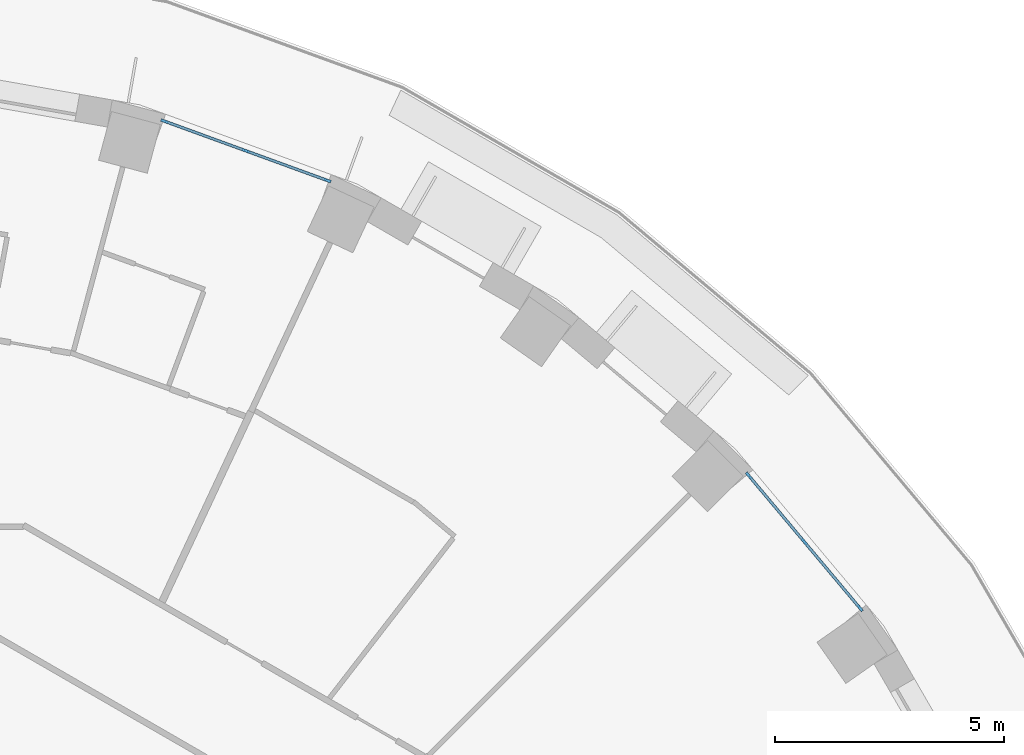
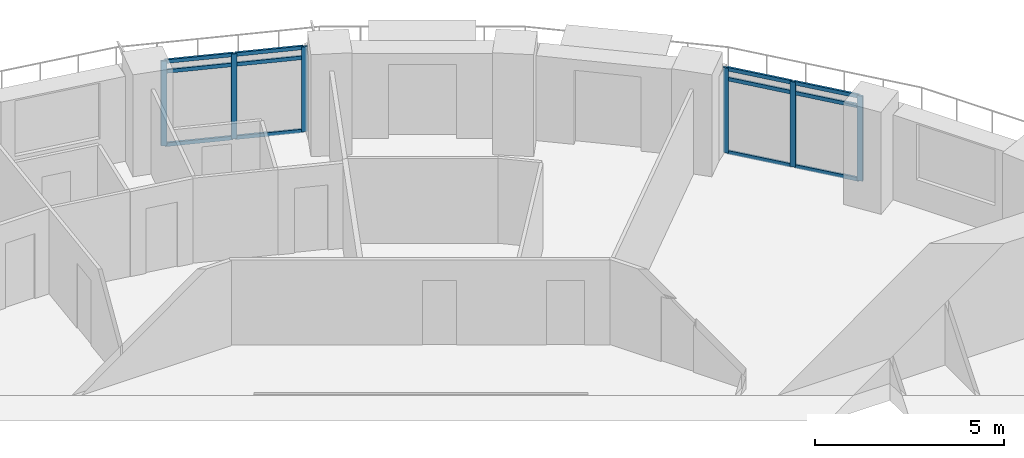
# One storey, part 2 of 15: 18 members, 2 elements without a shape of their own.
"""IFC4 building model written with IfcOpenShell, lengths in metres."""

from ifc_helpers import new_model, si_unit, direction, frame, origin, origin_2d, place, context, subcontext, project, spatial, rectangle, extrude, material, layer, layer_set, material_profile, profile_set, type_object, element, aggregate, save


model = new_model("IFC4")

# Units and contexts
model_context = context("Model", 3, precision=1e-05, world=origin(), true_north=direction((0.0, 1.0)))
body_context = subcontext(model_context, "Body", "Model", "MODEL_VIEW")
ifc_project = project(units=[si_unit("LENGTHUNIT", "METRE"), si_unit("AREAUNIT", "SQUARE_METRE"), si_unit("VOLUMEUNIT", "CUBIC_METRE"), si_unit("PLANEANGLEUNIT", "RADIAN"), si_unit("MASSUNIT", "GRAM", prefix="KILO")], contexts=[model_context])

# Site, building, storey
site_placement = place(None, origin())
site = spatial("IfcSite", under=ifc_project, at=site_placement, CompositionType="ELEMENT")
building_placement = place(site_placement, origin())
building = spatial("IfcBuilding", under=site, at=building_placement, Name="Saqina Gate Tower", CompositionType="ELEMENT")
storey_placement = place(building_placement, frame((0.0, 0.0, 72.5)))
storey = spatial("IfcBuildingStorey", under=building, at=storey_placement, Name="L20", CompositionType="ELEMENT", Elevation=72.5)

# Curtain wall, members
ifc_material_1 = material(Name="Aluminium glazing", Category="aluminium")
ifc_layer = layer(ifc_material_1, 0.159912109375)
ifc_layer_set = layer_set([ifc_layer], Name="CWT-4")
curtain_wall_type = type_object("IfcCurtainWallType", Name="CWT-4", PredefinedType="NOTDEFINED", material=ifc_layer_set)
curtain_wall_1_placement = place(storey_placement, origin())
curtain_wall_1 = element("IfcCurtainWall", 1, at=curtain_wall_1_placement, inside=storey, type_object=curtain_wall_type, Name="Terrace lounge glazing facet 4", PredefinedType="NOTDEFINED")
ifc_material_2 = material(Name="Aluminium", Category="aluminium")
ifc_material_profile_1 = material_profile(ifc_material_2, rectangle(XDim=0.06005859375, YDim=0.159912109375, at=origin_2d()), Name="Aluminium 60x160")
ifc_profile_set_1 = profile_set([ifc_material_profile_1], Name="Aluminium")
member_type_1 = type_object("IfcMemberType", Name="CWT-4M", PredefinedType="MULLION", material=ifc_profile_set_1)
member_1_placement = place(storey_placement, frame((23.232666015625, 17.0234375, 0.0), z_axis=(0.0, 0.0, 1.0), x_axis=(-0.766040784332, -0.642791970033, 0.0)))
member_1 = element("IfcMember", 2, at=member_1_placement, type_object=member_type_1, Name="CW4-04 mullion 1", PredefinedType="MULLION", context=body_context, shape_type="SweptSolid", body=[
    extrude(rectangle(XDim=0.06005859375, YDim=0.159912109375, at=origin_2d()), origin(), (0.0, 0.0, 1.0), 2.75),
])
member_2_placement = place(storey_placement, frame((22.015869140625, 18.473388671875, 0.0), z_axis=(0.0, 0.0, 1.0), x_axis=(-0.766040784332, -0.642791970033, 0.0)))
member_2 = element("IfcMember", 3, at=member_2_placement, type_object=member_type_1, Name="CW4-04 mullion 2", PredefinedType="MULLION", context=body_context, shape_type="SweptSolid", body=[
    extrude(rectangle(XDim=0.06005859375, YDim=0.159912109375, at=origin_2d()), origin(), (0.0, 0.0, 1.0), 2.75),
])
member_3_placement = place(storey_placement, frame((20.799072265625, 19.923583984375, 0.0), z_axis=(0.0, 0.0, 1.0), x_axis=(-0.766040784332, -0.642791970033, 0.0)))
member_3 = element("IfcMember", 4, at=member_3_placement, type_object=member_type_1, Name="CW4-04 mullion 3", PredefinedType="MULLION", context=body_context, shape_type="SweptSolid", body=[
    extrude(rectangle(XDim=0.06005859375, YDim=0.159912109375, at=origin_2d()), origin(), (0.0, 0.0, 1.0), 2.75),
])

curtain_wall_2_placement = place(storey_placement, origin())
curtain_wall_2 = element("IfcCurtainWall", 5, at=curtain_wall_2_placement, inside=storey, type_object=curtain_wall_type, Name="Terrace lounge glazing facet 7", PredefinedType="NOTDEFINED")
member_4_placement = place(storey_placement, frame((11.6083984375, 26.359130859375, 0.0), z_axis=(0.0, 0.0, 1.0), x_axis=(-0.34200819699, -0.939696968811, 0.0)))
member_4 = element("IfcMember", 6, at=member_4_placement, type_object=member_type_1, Name="CW4-07 mullion 1", PredefinedType="MULLION", context=body_context, shape_type="SweptSolid", body=[
    extrude(rectangle(XDim=0.06005859375, YDim=0.159912109375, at=origin_2d()), origin(), (0.0, 0.0, 1.0), 2.75),
])
member_5_placement = place(storey_placement, frame((9.82958984375, 27.00634765625, 0.0), z_axis=(0.0, 0.0, 1.0), x_axis=(-0.34200819699, -0.939696968811, 0.0)))
member_5 = element("IfcMember", 7, at=member_5_placement, type_object=member_type_1, Name="CW4-07 mullion 2", PredefinedType="MULLION", context=body_context, shape_type="SweptSolid", body=[
    extrude(rectangle(XDim=0.06005859375, YDim=0.159912109375, at=origin_2d()), origin(), (0.0, 0.0, 1.0), 2.75),
])
member_6_placement = place(storey_placement, frame((8.05078125, 27.65380859375, 0.0), z_axis=(0.0, 0.0, 1.0), x_axis=(-0.34200819699, -0.939696968811, 0.0)))
member_6 = element("IfcMember", 8, at=member_6_placement, type_object=member_type_1, Name="CW4-07 mullion 3", PredefinedType="MULLION", context=body_context, shape_type="SweptSolid", body=[
    extrude(rectangle(XDim=0.06005859375, YDim=0.159912109375, at=origin_2d()), origin(), (0.0, 0.0, 1.0), 2.75),
])

# Member
ifc_material_3 = material(Name="Aluminium", Category="aluminium")
ifc_material_profile_2 = material_profile(ifc_material_3, rectangle(XDim=0.06005859375, YDim=0.1201171875, at=origin_2d()), Name="Aluminium 60x120")
ifc_profile_set_2 = profile_set([ifc_material_profile_2], Name="Aluminium")
member_type_2 = type_object("IfcMemberType", Name="CWT-4T", PredefinedType="USERDEFINED", material=ifc_profile_set_2)
member_7_placement = place(storey_placement, frame((23.21337890625, 17.04638671875, 0.030029296875), z_axis=(-0.642814030336, 0.766022272785, 0.0), x_axis=(-0.766022272785, -0.642814030336, 0.0)))
member_7 = element("IfcMember", 9, at=member_7_placement, type_object=member_type_2, Name="CW4-04 transom 1.1", ObjectType="TRANSOM", PredefinedType="USERDEFINED", context=body_context, shape_type="SweptSolid", body=[
    extrude(rectangle(XDim=0.06005859375, YDim=0.1201171875, at=origin_2d()), origin(), (0.0, 0.0, 1.0), 1.8330078125),
])

member_8_placement = place(storey_placement, frame((23.21337890625, 17.04638671875, 2.39990234375), z_axis=(-0.642814030336, 0.766022272785, 0.0), x_axis=(-0.766022272785, -0.642814030336, 0.0)))
member_8 = element("IfcMember", 10, at=member_8_placement, type_object=member_type_2, Name="CW4-04 transom 1.2", ObjectType="TRANSOM", PredefinedType="USERDEFINED", context=body_context, shape_type="SweptSolid", body=[
    extrude(rectangle(XDim=0.06005859375, YDim=0.1201171875, at=origin_2d()), origin(), (0.0, 0.0, 1.0), 1.8330078125),
])

member_9_placement = place(storey_placement, frame((23.21337890625, 17.04638671875, 2.719970703125), z_axis=(-0.642814030336, 0.766022272785, 0.0), x_axis=(-0.766022272785, -0.642814030336, 0.0)))
member_9 = element("IfcMember", 11, at=member_9_placement, type_object=member_type_2, Name="CW4-04 transom 1.3", ObjectType="TRANSOM", PredefinedType="USERDEFINED", context=body_context, shape_type="SweptSolid", body=[
    extrude(rectangle(XDim=0.06005859375, YDim=0.1201171875, at=origin_2d()), origin(), (0.0, 0.0, 1.0), 1.8330078125),
])

member_10_placement = place(storey_placement, frame((21.99658203125, 18.496337890625, 0.030029296875), z_axis=(-0.642748446614, 0.766077303133, 0.0), x_axis=(-0.766077303133, -0.642748446614, 0.0)))
member_10 = element("IfcMember", 12, at=member_10_placement, type_object=member_type_2, Name="CW4-04 transom 2.1", ObjectType="TRANSOM", PredefinedType="USERDEFINED", context=body_context, shape_type="SweptSolid", body=[
    extrude(rectangle(XDim=0.06005859375, YDim=0.1201171875, at=origin_2d()), origin(), (0.0, 0.0, 1.0), 1.8330078125),
])

member_11_placement = place(storey_placement, frame((21.99658203125, 18.496337890625, 2.39990234375), z_axis=(-0.642748446614, 0.766077303133, 0.0), x_axis=(-0.766077303133, -0.642748446614, 0.0)))
member_11 = element("IfcMember", 13, at=member_11_placement, type_object=member_type_2, Name="CW4-04 transom 2.2", ObjectType="TRANSOM", PredefinedType="USERDEFINED", context=body_context, shape_type="SweptSolid", body=[
    extrude(rectangle(XDim=0.06005859375, YDim=0.1201171875, at=origin_2d()), origin(), (0.0, 0.0, 1.0), 1.8330078125),
])

member_12_placement = place(storey_placement, frame((21.99658203125, 18.496337890625, 2.719970703125), z_axis=(-0.642748446614, 0.766077303133, 0.0), x_axis=(-0.766077303133, -0.642748446614, 0.0)))
member_12 = element("IfcMember", 14, at=member_12_placement, type_object=member_type_2, Name="CW4-04 transom 2.3", ObjectType="TRANSOM", PredefinedType="USERDEFINED", context=body_context, shape_type="SweptSolid", body=[
    extrude(rectangle(XDim=0.06005859375, YDim=0.1201171875, at=origin_2d()), origin(), (0.0, 0.0, 1.0), 1.8330078125),
])

aggregate(curtain_wall_1, [member_1, member_2, member_3, member_7, member_8, member_9, member_10, member_11, member_12])

member_13_placement = place(storey_placement, frame((11.580078125, 26.369384765625, 0.030029296875), z_axis=(-0.939727291942, 0.34192487008, 0.0), x_axis=(-0.34192487008, -0.939727291942, 0.0)))
member_13 = element("IfcMember", 15, at=member_13_placement, type_object=member_type_2, Name="CW4-07 transom 1.1", ObjectType="TRANSOM", PredefinedType="USERDEFINED", context=body_context, shape_type="SweptSolid", body=[
    extrude(rectangle(XDim=0.06005859375, YDim=0.1201171875, at=origin_2d()), origin(), (0.0, 0.0, 1.0), 1.832763671875),
])

member_14_placement = place(storey_placement, frame((11.580078125, 26.369384765625, 2.39990234375), z_axis=(-0.939727291942, 0.34192487008, 0.0), x_axis=(-0.34192487008, -0.939727291942, 0.0)))
member_14 = element("IfcMember", 16, at=member_14_placement, type_object=member_type_2, Name="CW4-07 transom 1.2", ObjectType="TRANSOM", PredefinedType="USERDEFINED", context=body_context, shape_type="SweptSolid", body=[
    extrude(rectangle(XDim=0.06005859375, YDim=0.1201171875, at=origin_2d()), origin(), (0.0, 0.0, 1.0), 1.832763671875),
])

member_15_placement = place(storey_placement, frame((11.580078125, 26.369384765625, 2.719970703125), z_axis=(-0.939727291942, 0.34192487008, 0.0), x_axis=(-0.34192487008, -0.939727291942, 0.0)))
member_15 = element("IfcMember", 17, at=member_15_placement, type_object=member_type_2, Name="CW4-07 transom 1.3", ObjectType="TRANSOM", PredefinedType="USERDEFINED", context=body_context, shape_type="SweptSolid", body=[
    extrude(rectangle(XDim=0.06005859375, YDim=0.1201171875, at=origin_2d()), origin(), (0.0, 0.0, 1.0), 1.832763671875),
])

member_16_placement = place(storey_placement, frame((9.80126953125, 27.0166015625, 0.030029296875), z_axis=(-0.939668901449, 0.342085304639, 0.0), x_axis=(-0.342085304639, -0.939668901449, 0.0)))
member_16 = element("IfcMember", 18, at=member_16_placement, type_object=member_type_2, Name="CW4-07 transom 2.1", ObjectType="TRANSOM", PredefinedType="USERDEFINED", context=body_context, shape_type="SweptSolid", body=[
    extrude(rectangle(XDim=0.06005859375, YDim=0.1201171875, at=origin_2d()), origin(), (0.0, 0.0, 1.0), 1.832763671875),
])

member_17_placement = place(storey_placement, frame((9.80126953125, 27.0166015625, 2.39990234375), z_axis=(-0.939668901449, 0.342085304639, 0.0), x_axis=(-0.342085304639, -0.939668901449, 0.0)))
member_17 = element("IfcMember", 19, at=member_17_placement, type_object=member_type_2, Name="CW4-07 transom 2.2", ObjectType="TRANSOM", PredefinedType="USERDEFINED", context=body_context, shape_type="SweptSolid", body=[
    extrude(rectangle(XDim=0.06005859375, YDim=0.1201171875, at=origin_2d()), origin(), (0.0, 0.0, 1.0), 1.832763671875),
])

member_18_placement = place(storey_placement, frame((9.80126953125, 27.0166015625, 2.719970703125), z_axis=(-0.939668901449, 0.342085304639, 0.0), x_axis=(-0.342085304639, -0.939668901449, 0.0)))
member_18 = element("IfcMember", 20, at=member_18_placement, type_object=member_type_2, Name="CW4-07 transom 2.3", ObjectType="TRANSOM", PredefinedType="USERDEFINED", context=body_context, shape_type="SweptSolid", body=[
    extrude(rectangle(XDim=0.06005859375, YDim=0.1201171875, at=origin_2d()), origin(), (0.0, 0.0, 1.0), 1.832763671875),
])

aggregate(curtain_wall_2, [member_4, member_5, member_6, member_13, member_14, member_15, member_16, member_17, member_18])

save(model, "model.ifc")
